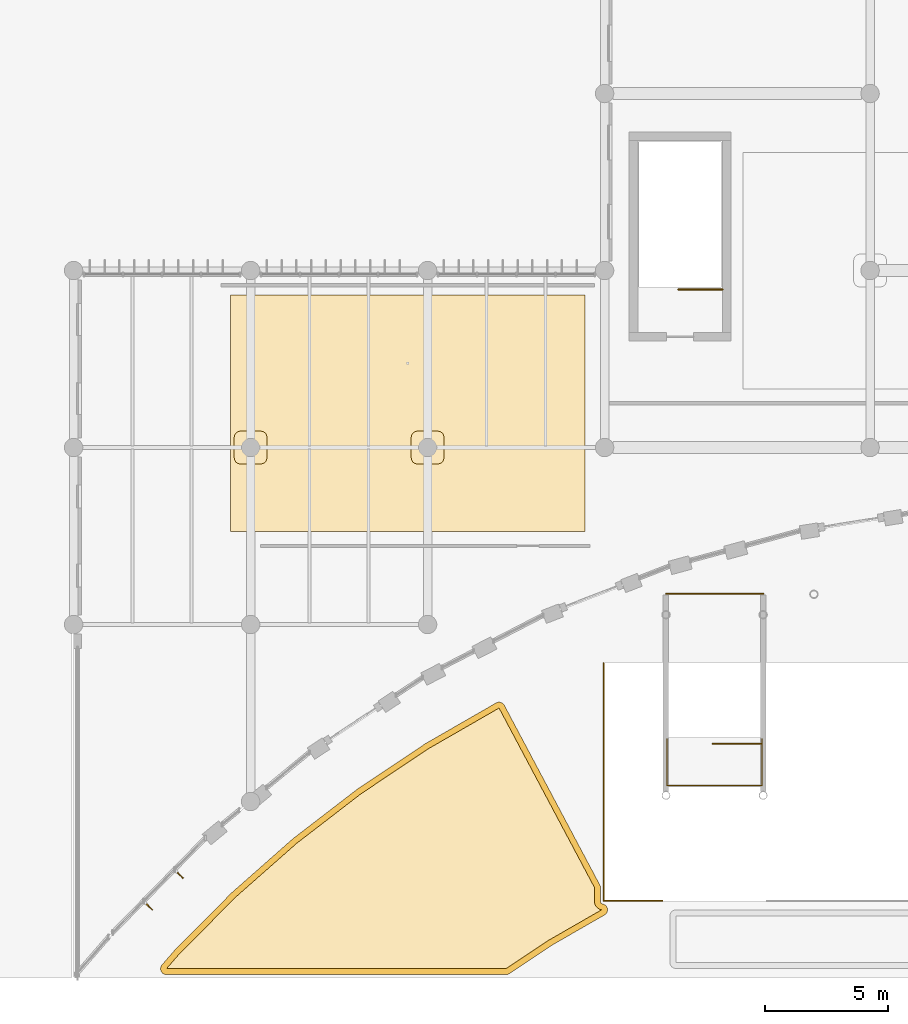
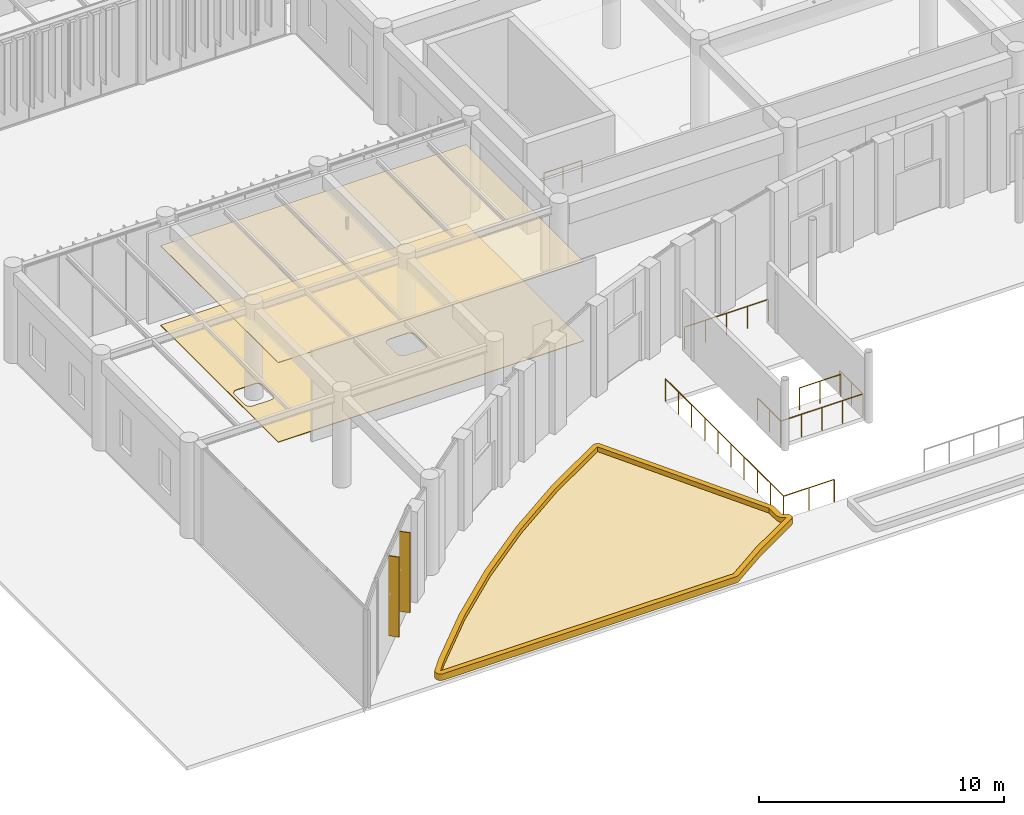
# One storey, part 106 of 122: 5 railings, 4 coverings, 2 shading devices.
"""IFC4 building model written with IfcOpenShell, lengths in metres."""

from ifc_helpers import new_model, si_unit, direction, frame, origin, origin_2d, place, context, subcontext, project, spatial, polyline, rectangle, circle, outline, extrude, material, layer, layer_set, material_profile, profile_set, type_object, element, save


model = new_model("IFC4")

# Units and contexts
model_context = context("Model", 3, precision=1e-05, world=origin(), true_north=direction((0.0, 1.0)))
body_context = subcontext(model_context, "Body", "Model", "MODEL_VIEW")
ifc_project = project(units=[si_unit("LENGTHUNIT", "METRE"), si_unit("AREAUNIT", "SQUARE_METRE"), si_unit("VOLUMEUNIT", "CUBIC_METRE"), si_unit("PLANEANGLEUNIT", "RADIAN"), si_unit("MASSUNIT", "GRAM", prefix="KILO")], contexts=[model_context])

# Site, building, storey
site_placement = place(None, origin())
site = spatial("IfcSite", under=ifc_project, at=site_placement, CompositionType="ELEMENT")
building_placement = place(site_placement, origin())
building = spatial("IfcBuilding", under=site, at=building_placement, Name="Tazoul Stagehouse", CompositionType="ELEMENT")
storey_placement = place(building_placement, origin())
storey = spatial("IfcBuildingStorey", under=building, at=storey_placement, Name="L00", CompositionType="ELEMENT", Elevation=0.0)

# Shading device
ifc_material_1 = material(Name="Anodised Bronze Aluminium 6063-T6", Category="aluminium")
ifc_layer_1 = layer(ifc_material_1, 0.050048828125, Name="Anodised Bronze Aluminium 6063-T6")
ifc_layer_set_1 = layer_set([ifc_layer_1], Name="Anodised Bronze Aluminium 6063-T6")
shading_device_type_1 = type_object("IfcShadingDeviceType", Name="Angled Acoustic Sun-Screen Blade 460", PredefinedType="USERDEFINED", material=ifc_layer_set_1)
shading_device_1_placement = place(storey_placement, frame((39.0419921875, 4.35205078125, 0.75), z_axis=(0.0, 0.0, 1.0), x_axis=(0.700246698398, 0.713900946479, 0.0)))
element("IfcShadingDevice", 1, at=shading_device_1_placement, inside=storey, type_object=shading_device_type_1, Name="Shading Louvre FIN-02 CW-V5-CRN-L00-C02-SHD01", ObjectType="FIN", PredefinedType="USERDEFINED", context=body_context, shape_type="SweptSolid", body=[
    extrude(rectangle(XDim=0.044921875, YDim=0.4599609375, at=origin_2d()), origin(), (0.0, 0.0, 1.0), 3.989990234375),
])

# Railings
ifc_material_2 = material(Name="Brushed Stainless Steel 316L", Category="steel")
ifc_material_profile_1 = material_profile(ifc_material_2, circle(Radius=0.02392578125, at=origin_2d()), Name="SS RAIL D48")
ifc_profile_set_1 = profile_set([ifc_material_profile_1], Name="Brushed Stainless Steel 316L")
railing_type_1 = type_object("IfcRailingType", Name="Architectural Guardrail H1120", PredefinedType="GUARDRAIL", material=ifc_profile_set_1)
railing_1_placement = place(storey_placement, frame((62.39990234375, 29.429931640625, 0.0)))
element("IfcRailing", 2, at=railing_1_placement, inside=storey, type_object=railing_type_1, Name="L00 ST-B8 top well guard 1", PredefinedType="GUARDRAIL", context=body_context, shape_type="SweptSolid", body=[
    extrude(circle(Radius=0.02392578125, at=origin_2d()), frame((0.0, 0.0, 1.09619140625), z_axis=(-1.0, 0.0, 0.0), x_axis=(0.0, -1.0, 0.0)), (0.0, 0.0, 1.0), 1.7998046875),
    extrude(circle(Radius=0.02099609375, at=origin_2d()), origin(), (0.0, 0.0, 1.0), 1.072021484375),
    extrude(circle(Radius=0.02099609375, at=origin_2d()), frame((-0.89990234375, 0.0, 0.0)), (0.0, 0.0, 1.0), 1.072021484375),
    extrude(circle(Radius=0.02099609375, at=origin_2d()), frame((-1.7998046875, 0.0, 0.0)), (0.0, 0.0, 1.0), 1.072021484375),
])
railing_2_placement = place(storey_placement, frame((63.949951171875, 10.949951171875, 0.0)))
element("IfcRailing", 3, at=railing_2_placement, inside=storey, type_object=railing_type_1, Name="L00 ST-AMP-W top well guard 1", PredefinedType="GUARDRAIL", context=body_context, shape_type="SweptSolid", body=[
    extrude(circle(Radius=0.02392578125, at=origin_2d()), frame((0.0, 0.0, 1.09619140625), z_axis=(-1.0, 0.0, 0.0), x_axis=(0.0, -1.0, 0.0)), (0.0, 0.0, 1.0), 1.949951171875),
    extrude(circle(Radius=0.02099609375, at=origin_2d()), origin(), (0.0, 0.0, 1.0), 1.072021484375),
    extrude(circle(Radius=0.02099609375, at=origin_2d()), frame((-0.97509765625, 0.0, 0.0)), (0.0, 0.0, 1.0), 1.072021484375),
    extrude(circle(Radius=0.02099609375, at=origin_2d()), frame((-1.949951171875, 0.0, 0.0)), (0.0, 0.0, 1.0), 1.072021484375),
])
railing_3_placement = place(storey_placement, frame((64.050048828125, 17.050048828125, 0.0)))
element("IfcRailing", 4, at=railing_3_placement, inside=storey, type_object=railing_type_1, Name="L00 ST-AMP-W top well guard 2", PredefinedType="GUARDRAIL", context=body_context, shape_type="SweptSolid", body=[
    extrude(circle(Radius=0.02392578125, at=origin_2d()), frame((0.0, 0.0, 1.09619140625), z_axis=(-1.0, 0.0, 0.0), x_axis=(0.0, -1.0, 0.0)), (0.0, 0.0, 1.0), 3.949951171875),
    extrude(circle(Radius=0.02099609375, at=origin_2d()), origin(), (0.0, 0.0, 1.0), 1.072021484375),
    extrude(circle(Radius=0.02099609375, at=origin_2d()), frame((-0.987548828125, 0.0, 0.0)), (0.0, 0.0, 1.0), 1.072021484375),
    extrude(circle(Radius=0.02099609375, at=origin_2d()), frame((-1.97509765625, 0.0, 0.0)), (0.0, 0.0, 1.0), 1.072021484375),
    extrude(circle(Radius=0.02099609375, at=origin_2d()), frame((-2.96240234375, 0.0, 0.0)), (0.0, 0.0, 1.0), 1.072021484375),
    extrude(circle(Radius=0.02099609375, at=origin_2d()), frame((-3.949951171875, 0.0, 0.0)), (0.0, 0.0, 1.0), 1.072021484375),
])

# Coverings
ifc_material_3 = material(Name="Gypsum Acoustic Partition", Category="gypsum")
ifc_layer_2 = layer(ifc_material_3, 0.034912109375, Name="Gypsum Acoustic Partition")
ifc_layer_set_2 = layer_set([ifc_layer_2], Name="Gypsum Acoustic Partition")
covering_type_1 = type_object("IfcCoveringType", Name="Gypsum Acoustic Foyer Suspended Ceiling 35", PredefinedType="CEILING", material=ifc_layer_set_2)
covering_1_placement = place(storey_placement, frame((0.0, 0.0, 3.955078125)))
element("IfcCovering", 5, at=covering_1_placement, inside=storey, type_object=covering_type_1, Name="L00 Grand Crescent Civic Foyer Suspended Ceiling", PredefinedType="CEILING", context=body_context, shape_type="SweptSolid", body=[
    extrude(outline(polyline([(56.81005859375, 29.2099609375), (56.81005859375, 19.590087890625), (42.389892578125, 19.590087890625), (42.389892578125, 29.2099609375), (56.81005859375, 29.2099609375)])), origin(), (0.0, 0.0, 1.0), 0.034912109375),
])
ifc_material_4 = material(Name="Honed Rabat Calcarenite Stone", Category="masonry")
ifc_layer_3 = layer(ifc_material_4, 0.320068359375, Name="Honed Rabat Calcarenite Stone")
ifc_layer_set_3 = layer_set([ifc_layer_3], Name="Honed Rabat Calcarenite Stone")
covering_type_2 = type_object("IfcCoveringType", Name="Honed Limestone Lawn Planter Curb 320", PredefinedType="MOLDING", material=ifc_layer_set_3)
covering_2_placement = place(storey_placement, origin())
element("IfcCovering", 6, at=covering_2_placement, inside=storey, type_object=covering_type_2, Name="L00 Crescent Lawn Stone Curb (WEST)", PredefinedType="MOLDING", context=body_context, shape_type="SweptSolid", body=[
    extrude(outline(polyline([(40.102783203125, 2.53955078125), (42.42919921875, 4.88623046875), (42.44091796875, 4.897216796875), (44.9189453125, 7.083251953125), (44.931396484375, 7.093505859375), (47.550048828125, 9.10888671875), (47.56298828125, 9.118408203125), (50.310791015625, 10.9541015625), (50.32421875, 10.96240234375), (53.1884765625, 12.610595703125), (53.209716796875, 12.62158203125), (53.232177734375, 12.63037109375), (53.25537109375, 12.63671875), (53.279052734375, 12.640869140625), (53.302978515625, 12.642578125), (53.3271484375, 12.641845703125), (53.35107421875, 12.638671875), (53.37451171875, 12.63330078125), (53.397216796875, 12.62548828125), (53.4189453125, 12.615478515625), (53.439697265625, 12.603271484375), (53.459228515625, 12.589111328125), (53.47705078125, 12.572998046875), (53.493408203125, 12.55517578125), (53.5078125, 12.535888671875), (53.52001953125, 12.515380859375), (57.40185546875, 5.21435546875), (57.411865234375, 5.193115234375), (57.419921875, 5.171142578125), (57.42529296875, 5.1484375), (57.428955078125, 5.125244140625), (57.429931640625, 5.101806640625), (57.429931640625, 4.5458984375), (57.430908203125, 4.529296875), (57.432373046875, 4.5185546875), (57.43505859375, 4.50830078125), (57.438720703125, 4.498046875), (57.443115234375, 4.48828125), (57.44873046875, 4.47900390625), (57.455078125, 4.470458984375), (57.46240234375, 4.46240234375), (57.470458984375, 4.455078125), (57.47900390625, 4.44873046875), (57.48828125, 4.443115234375), (57.498046875, 4.438720703125), (57.50830078125, 4.43505859375), (57.52099609375, 4.431884765625), (57.539306640625, 4.427978515625), (57.56201171875, 4.421142578125), (57.583984375, 4.412109375), (57.60498046875, 4.40087890625), (57.62451171875, 4.3876953125), (57.642822265625, 4.37255859375), (57.65966796875, 4.355712890625), (57.674560546875, 4.337158203125), (57.6875, 4.3173828125), (57.698486328125, 4.29638671875), (57.70751953125, 4.2744140625), (57.71435546875, 4.251708984375), (57.71875, 4.228515625), (57.720703125, 4.20458984375), (57.720458984375, 4.180908203125), (57.718017578125, 4.157470703125), (57.712890625, 4.13427734375), (57.705810546875, 4.111572265625), (57.696533203125, 4.08984375), (57.68505859375, 4.069091796875), (57.671630859375, 4.049560546875), (57.65625, 4.031494140625), (57.63916015625, 4.014892578125), (57.62060546875, 4.000244140625), (57.6005859375, 3.9873046875), (55.423095703125, 2.734375), (53.72607421875, 1.600341796875), (53.705810546875, 1.58837890625), (53.6845703125, 1.578369140625), (53.66259765625, 1.5703125), (53.6396484375, 1.564697265625), (53.6162109375, 1.561279296875), (53.5927734375, 1.56005859375), (39.77880859375, 1.56005859375), (39.7548828125, 1.561279296875), (39.7314453125, 1.564697265625), (39.70849609375, 1.570556640625), (39.68603515625, 1.57861328125), (39.66455078125, 1.589111328125), (39.64404296875, 1.601318359375), (39.625, 1.61572265625), (39.607421875, 1.6318359375), (39.591796875, 1.649658203125), (39.57763671875, 1.6689453125), (39.565673828125, 1.689697265625), (39.555908203125, 1.711181640625), (39.548095703125, 1.73388671875), (39.542724609375, 1.757080078125), (39.53955078125, 1.78076171875), (39.538818359375, 1.804443359375), (39.54052734375, 1.828369140625), (39.54443359375, 1.851806640625), (39.55078125, 1.874755859375), (39.559326171875, 1.89697265625), (39.570068359375, 1.918212890625), (39.582763671875, 1.9384765625), (39.597412109375, 1.957275390625), (40.091796875, 2.527587890625), (40.102783203125, 2.53955078125)]), holes=[polyline([(39.77880859375, 1.800048828125), (53.5927734375, 1.800048828125), (55.29638671875, 2.9384765625), (57.48095703125, 4.1953125), (57.4716796875, 4.19677734375), (57.4384765625, 4.205078125), (57.406005859375, 4.216552734375), (57.375, 4.231201171875), (57.345703125, 4.2490234375), (57.318115234375, 4.269287109375), (57.29248046875, 4.29248046875), (57.269287109375, 4.318115234375), (57.2490234375, 4.345703125), (57.231201171875, 4.375), (57.216552734375, 4.406005859375), (57.205078125, 4.4384765625), (57.19677734375, 4.4716796875), (57.191650390625, 4.505615234375), (57.18994140625, 4.5400390625), (57.18994140625, 5.101806640625), (53.30810546875, 12.402587890625), (50.444091796875, 10.75439453125), (47.6962890625, 8.918701171875), (45.07763671875, 6.9033203125), (42.599609375, 4.71728515625), (40.273193359375, 2.37060546875), (39.77880859375, 1.800048828125)])]), origin(), (0.0, 0.0, 1.0), 0.320068359375),
])
ifc_layer_4 = layer(ifc_material_4, 0.030029296875, Name="Honed Rabat Calcarenite Stone")
ifc_layer_set_4 = layer_set([ifc_layer_4], Name="Honed Rabat Calcarenite Stone")
covering_type_3 = type_object("IfcCoveringType", Name="Honed Rabat Limestone Foyer Flooring 30", PredefinedType="FLOORING", material=ifc_layer_set_4)
covering_3_placement = place(storey_placement, origin())
element("IfcCovering", 7, at=covering_3_placement, inside=storey, type_object=covering_type_3, Name="L00 Grand Crescent Civic Foyer Flooring", PredefinedType="FLOORING", context=body_context, shape_type="SweptSolid", body=[
    extrude(outline(polyline([(56.81005859375, 29.2099609375), (56.81005859375, 19.590087890625), (42.389892578125, 19.590087890625), (42.389892578125, 29.2099609375), (56.81005859375, 29.2099609375)]), holes=[polyline([(51.063720703125, 23.439453125), (51.060302734375, 23.4638671875), (51.05419921875, 23.487548828125), (51.0458984375, 23.5107421875), (51.035400390625, 23.53271484375), (51.02294921875, 23.553955078125), (51.00830078125, 23.573486328125), (50.99169921875, 23.591796875), (50.9736328125, 23.6083984375), (50.953857421875, 23.622802734375), (50.932861328125, 23.635498046875), (50.91064453125, 23.64599609375), (50.8876953125, 23.654296875), (50.86376953125, 23.66015625), (50.839599609375, 23.663818359375), (50.81494140625, 23.6650390625), (49.985107421875, 23.6650390625), (49.96044921875, 23.663818359375), (49.936279296875, 23.66015625), (49.912353515625, 23.654296875), (49.889404296875, 23.64599609375), (49.8671875, 23.635498046875), (49.84619140625, 23.622802734375), (49.826416015625, 23.6083984375), (49.80810546875, 23.591796875), (49.791748046875, 23.573486328125), (49.777099609375, 23.553955078125), (49.764404296875, 23.53271484375), (49.75390625, 23.5107421875), (49.745849609375, 23.487548828125), (49.73974609375, 23.4638671875), (49.736083984375, 23.439453125), (49.735107421875, 23.4150390625), (49.735107421875, 22.5849609375), (49.736083984375, 22.560546875), (49.73974609375, 22.5361328125), (49.745849609375, 22.512451171875), (49.75390625, 22.4892578125), (49.764404296875, 22.46728515625), (49.777099609375, 22.446044921875), (49.791748046875, 22.426513671875), (49.80810546875, 22.408203125), (49.826416015625, 22.3916015625), (49.84619140625, 22.377197265625), (49.8671875, 22.364501953125), (49.889404296875, 22.35400390625), (49.912353515625, 22.345703125), (49.936279296875, 22.33984375), (49.96044921875, 22.336181640625), (49.985107421875, 22.3349609375), (50.81494140625, 22.3349609375), (50.839599609375, 22.336181640625), (50.86376953125, 22.33984375), (50.8876953125, 22.345703125), (50.91064453125, 22.35400390625), (50.932861328125, 22.364501953125), (50.953857421875, 22.377197265625), (50.9736328125, 22.3916015625), (50.99169921875, 22.408203125), (51.00830078125, 22.426513671875), (51.02294921875, 22.446044921875), (51.035400390625, 22.46728515625), (51.0458984375, 22.4892578125), (51.05419921875, 22.512451171875), (51.060302734375, 22.5361328125), (51.063720703125, 22.560546875), (51.06494140625, 22.5849609375), (51.06494140625, 23.4150390625), (51.063720703125, 23.439453125)]), polyline([(43.86376953125, 23.439453125), (43.860107421875, 23.4638671875), (43.854248046875, 23.487548828125), (43.845947265625, 23.5107421875), (43.83544921875, 23.53271484375), (43.822998046875, 23.553955078125), (43.808349609375, 23.573486328125), (43.791748046875, 23.591796875), (43.773681640625, 23.6083984375), (43.75390625, 23.622802734375), (43.73291015625, 23.635498046875), (43.710693359375, 23.64599609375), (43.6875, 23.654296875), (43.663818359375, 23.66015625), (43.639404296875, 23.663818359375), (43.614990234375, 23.6650390625), (42.784912109375, 23.6650390625), (42.760498046875, 23.663818359375), (42.736083984375, 23.66015625), (42.71240234375, 23.654296875), (42.689208984375, 23.64599609375), (42.667236328125, 23.635498046875), (42.64599609375, 23.622802734375), (42.62646484375, 23.6083984375), (42.608154296875, 23.591796875), (42.591796875, 23.573486328125), (42.5771484375, 23.553955078125), (42.564453125, 23.53271484375), (42.553955078125, 23.5107421875), (42.5458984375, 23.487548828125), (42.539794921875, 23.4638671875), (42.5361328125, 23.439453125), (42.534912109375, 23.4150390625), (42.534912109375, 22.5849609375), (42.5361328125, 22.560546875), (42.539794921875, 22.5361328125), (42.5458984375, 22.512451171875), (42.553955078125, 22.4892578125), (42.564453125, 22.46728515625), (42.5771484375, 22.446044921875), (42.591796875, 22.426513671875), (42.608154296875, 22.408203125), (42.62646484375, 22.3916015625), (42.64599609375, 22.377197265625), (42.667236328125, 22.364501953125), (42.689208984375, 22.35400390625), (42.71240234375, 22.345703125), (42.736083984375, 22.33984375), (42.760498046875, 22.336181640625), (42.784912109375, 22.3349609375), (43.614990234375, 22.3349609375), (43.639404296875, 22.336181640625), (43.663818359375, 22.33984375), (43.6875, 22.345703125), (43.710693359375, 22.35400390625), (43.73291015625, 22.364501953125), (43.75390625, 22.377197265625), (43.773681640625, 22.3916015625), (43.791748046875, 22.408203125), (43.808349609375, 22.426513671875), (43.822998046875, 22.446044921875), (43.83544921875, 22.46728515625), (43.845947265625, 22.4892578125), (43.854248046875, 22.512451171875), (43.860107421875, 22.5361328125), (43.86376953125, 22.560546875), (43.864990234375, 22.5849609375), (43.864990234375, 23.4150390625), (43.86376953125, 23.439453125)])]), origin(), (0.0, 0.0, 1.0), 0.030029296875),
])
ifc_material_5 = material(Name="Vegetated Acoustic Extensive Green-Roof Substrate", Category="earth")
ifc_layer_5 = layer(ifc_material_5, 0.080078125, Name="Vegetated Acoustic Extensive Green-Roof Substrate")
ifc_layer_set_5 = layer_set([ifc_layer_5], Name="Vegetated Acoustic Extensive Green-Roof Substrate")
covering_type_4 = type_object("IfcCoveringType", Name="Irrigated Fescue Forecourt Lawn Turf 80", PredefinedType="FLOORING", material=ifc_layer_set_5)
covering_4_placement = place(storey_placement, origin())
element("IfcCovering", 8, at=covering_4_placement, inside=storey, type_object=covering_type_4, Name="L00 Crescent Forecourt Landscaped Lawn (WEST)", PredefinedType="FLOORING", context=body_context, shape_type="SweptSolid", body=[
    extrude(outline(polyline([(40.273193359375, 2.37060546875), (42.599609375, 4.71728515625), (45.07763671875, 6.9033203125), (47.6962890625, 8.918701171875), (50.444091796875, 10.75439453125), (53.30810546875, 12.402587890625), (57.18994140625, 5.101806640625), (57.18994140625, 4.5400390625), (57.191650390625, 4.505615234375), (57.19677734375, 4.4716796875), (57.205078125, 4.4384765625), (57.216552734375, 4.406005859375), (57.231201171875, 4.375), (57.2490234375, 4.345703125), (57.269287109375, 4.318115234375), (57.29248046875, 4.29248046875), (57.318115234375, 4.269287109375), (57.345703125, 4.2490234375), (57.375, 4.231201171875), (57.406005859375, 4.216552734375), (57.4384765625, 4.205078125), (57.4716796875, 4.19677734375), (57.48095703125, 4.1953125), (55.29638671875, 2.9384765625), (53.5927734375, 1.800048828125), (39.77880859375, 1.800048828125), (40.273193359375, 2.37060546875)])), origin(), (0.0, 0.0, 1.0), 0.080078125),
])

# Railings
ifc_material_profile_2 = material_profile(ifc_material_2, circle(Radius=0.027099609375, at=origin_2d()), Name="SS RAIL D54")
ifc_profile_set_2 = profile_set([ifc_material_profile_2], Name="Brushed Stainless Steel 316L")
railing_type_2 = type_object("IfcRailingType", Name="Terrace Acoustic Glass-and-Steel Guard H1150", PredefinedType="GUARDRAIL", material=ifc_profile_set_2)
railing_4_placement = place(storey_placement, frame((60.139892578125, 11.14990234375, 0.0)))
element("IfcRailing", 9, at=railing_4_placement, inside=storey, type_object=railing_type_2, Name="Amphitheatre Arrival Guard (AMP-W)", PredefinedType="GUARDRAIL", context=body_context, shape_type="SweptSolid", body=[
    extrude(circle(Radius=0.02392578125, at=origin_2d()), frame((0.0, 0.0, 1.1259765625), z_axis=(0.0, -1.0, 0.0), x_axis=(1.0, 0.0, 0.0)), (0.0, 0.0, 1.0), 1.89990234375),
    extrude(circle(Radius=0.02392578125, at=origin_2d()), frame((0.0, -1.89990234375, 1.1259765625), z_axis=(1.0, 0.0, 0.0), x_axis=(0.0, 1.0, 0.0)), (0.0, 0.0, 1.0), 3.8701171875),
    extrude(circle(Radius=0.02392578125, at=origin_2d()), frame((3.8701171875, -1.89990234375, 1.1259765625), z_axis=(0.0, 1.0, 0.0), x_axis=(-1.0, 0.0, 0.0)), (0.0, 0.0, 1.0), 1.89990234375),
    extrude(circle(Radius=0.02099609375, at=origin_2d()), origin(), (0.0, 0.0, 1.0), 1.101806640625),
    extrude(circle(Radius=0.02099609375, at=origin_2d()), frame((0.0, -0.949951171875, 0.0)), (0.0, 0.0, 1.0), 1.101806640625),
    extrude(circle(Radius=0.02099609375, at=origin_2d()), frame((0.0, -1.89990234375, 0.0)), (0.0, 0.0, 1.0), 1.101806640625),
    extrude(circle(Radius=0.02099609375, at=origin_2d()), frame((0.967529296875, -1.89990234375, 0.0)), (0.0, 0.0, 1.0), 1.101806640625),
    extrude(circle(Radius=0.02099609375, at=origin_2d()), frame((1.93505859375, -1.89990234375, 0.0)), (0.0, 0.0, 1.0), 1.101806640625),
    extrude(circle(Radius=0.02099609375, at=origin_2d()), frame((2.902587890625, -1.89990234375, 0.0)), (0.0, 0.0, 1.0), 1.101806640625),
    extrude(circle(Radius=0.02099609375, at=origin_2d()), frame((3.8701171875, -1.89990234375, 0.0)), (0.0, 0.0, 1.0), 1.101806640625),
    extrude(circle(Radius=0.02099609375, at=origin_2d()), frame((3.8701171875, -0.949951171875, 0.0)), (0.0, 0.0, 1.0), 1.101806640625),
    extrude(circle(Radius=0.02099609375, at=origin_2d()), frame((3.8701171875, 0.0, 0.0)), (0.0, 0.0, 1.0), 1.101806640625),
])
railing_5_placement = place(storey_placement, frame((57.56005859375, 14.219970703125, 0.0)))
element("IfcRailing", 10, at=railing_5_placement, inside=storey, type_object=railing_type_2, Name="L00 Sunken Court Perimeter Guard GRD-02 (W)", PredefinedType="GUARDRAIL", context=body_context, shape_type="SweptSolid", body=[
    extrude(circle(Radius=0.02392578125, at=origin_2d()), frame((0.0, 0.0, 1.1259765625), z_axis=(0.0, -1.0, 0.0), x_axis=(1.0, 0.0, 0.0)), (0.0, 0.0, 1.0), 9.659912109375),
    extrude(circle(Radius=0.02392578125, at=origin_2d()), frame((0.0, -9.659912109375, 1.1259765625), z_axis=(1.0, 0.0, 0.0), x_axis=(0.0, 1.0, 0.0)), (0.0, 0.0, 1.0), 2.389892578125),
    extrude(circle(Radius=0.02099609375, at=origin_2d()), origin(), (0.0, 0.0, 1.0), 1.101806640625),
    extrude(circle(Radius=0.02099609375, at=origin_2d()), frame((0.0, -1.0732421875, 0.0)), (0.0, 0.0, 1.0), 1.101806640625),
    extrude(circle(Radius=0.02099609375, at=origin_2d()), frame((0.0, -2.146728515625, 0.0)), (0.0, 0.0, 1.0), 1.101806640625),
    extrude(circle(Radius=0.02099609375, at=origin_2d()), frame((0.0, -3.219970703125, 0.0)), (0.0, 0.0, 1.0), 1.101806640625),
    extrude(circle(Radius=0.02099609375, at=origin_2d()), frame((0.0, -4.293212890625, 0.0)), (0.0, 0.0, 1.0), 1.101806640625),
    extrude(circle(Radius=0.02099609375, at=origin_2d()), frame((0.0, -5.36669921875, 0.0)), (0.0, 0.0, 1.0), 1.101806640625),
    extrude(circle(Radius=0.02099609375, at=origin_2d()), frame((0.0, -6.43994140625, 0.0)), (0.0, 0.0, 1.0), 1.101806640625),
    extrude(circle(Radius=0.02099609375, at=origin_2d()), frame((0.0, -7.51318359375, 0.0)), (0.0, 0.0, 1.0), 1.101806640625),
    extrude(circle(Radius=0.02099609375, at=origin_2d()), frame((0.0, -8.586669921875, 0.0)), (0.0, 0.0, 1.0), 1.101806640625),
    extrude(circle(Radius=0.02099609375, at=origin_2d()), frame((0.0, -9.659912109375, 0.0)), (0.0, 0.0, 1.0), 1.101806640625),
    extrude(circle(Radius=0.02099609375, at=origin_2d()), frame((1.19482421875, -9.659912109375, 0.0)), (0.0, 0.0, 1.0), 1.101806640625),
    extrude(circle(Radius=0.02099609375, at=origin_2d()), frame((2.389892578125, -9.659912109375, 0.0)), (0.0, 0.0, 1.0), 1.101806640625),
])

# Shading device
ifc_layer_6 = layer(ifc_material_1, 0.044921875, Name="Anodised Bronze Aluminium 6063-T6")
ifc_layer_set_6 = layer_set([ifc_layer_6], Name="Anodised Bronze Aluminium 6063-T6")
shading_device_type_2 = type_object("IfcShadingDeviceType", Name="Vertical Extruded Terracotta-Bronze Louvre 460", PredefinedType="JALOUSIE", material=ifc_layer_set_6)
shading_device_2_placement = place(storey_placement, frame((40.300048828125, 5.634521484375, 0.75), z_axis=(0.0, 0.0, 1.0), x_axis=(0.700246698398, 0.713900946479, 0.0)))
element("IfcShadingDevice", 11, at=shading_device_2_placement, inside=storey, type_object=shading_device_type_2, Name="Shading Louvre FIN-01 CW-V5-CRN-L00-C02-SHD02", PredefinedType="JALOUSIE", context=body_context, shape_type="SweptSolid", body=[
    extrude(rectangle(XDim=0.044921875, YDim=0.4599609375, at=origin_2d()), origin(), (0.0, 0.0, 1.0), 3.989990234375),
])

save(model, "model.ifc")
